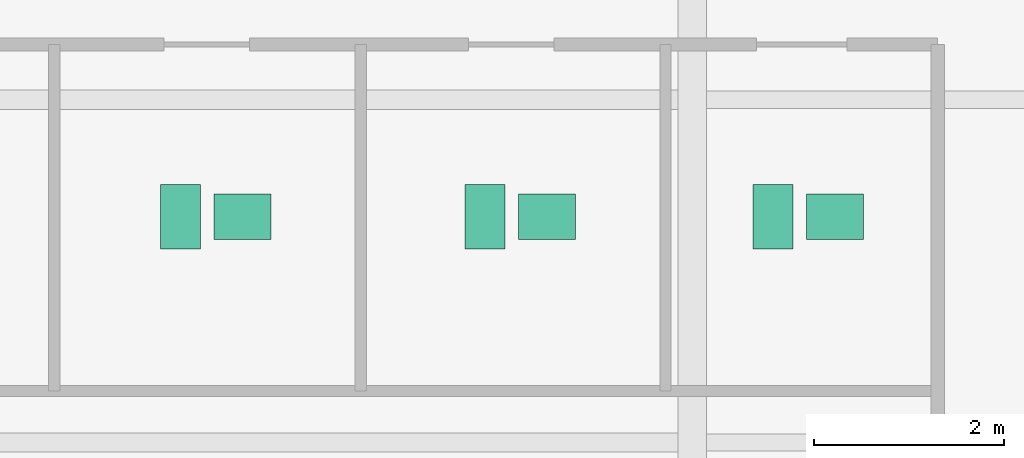
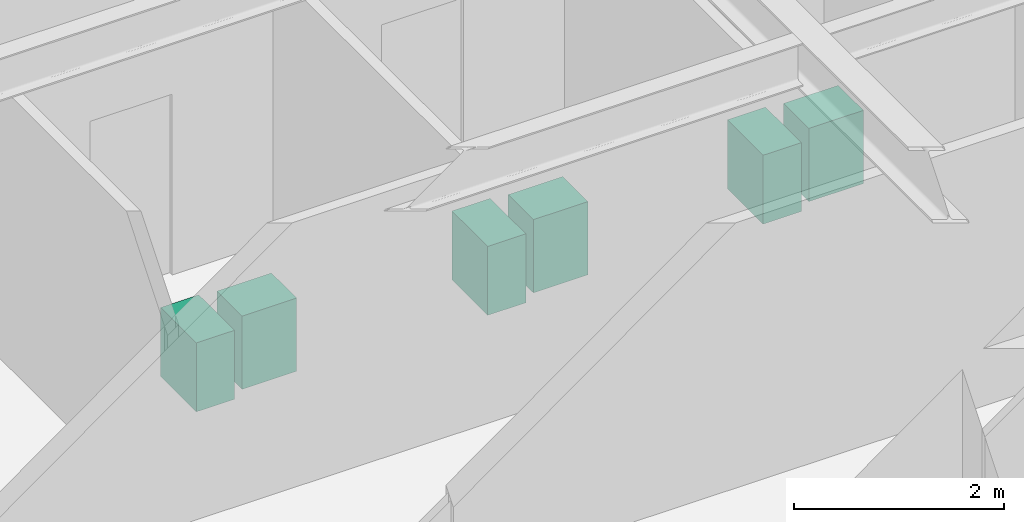
# One storey, part 26 of 26: 6 sanitary terminals.
"""IFC4 building model written with IfcOpenShell, lengths in metres."""

from ifc_helpers import new_model, si_unit, direction, frame, origin, origin_2d, place, context, subcontext, project, spatial, rectangle, extrude, source, transform, mapped, material, type_object, type_shapes, element, save


model = new_model("IFC4")

# Units and contexts
model_context = context("Model", 3, precision=1e-05, world=origin(), true_north=direction((0.0, 1.0)))
body_context = subcontext(model_context, "Body", "Model", "MODEL_VIEW")
ifc_project = project(units=[si_unit("LENGTHUNIT", "METRE"), si_unit("AREAUNIT", "SQUARE_METRE"), si_unit("VOLUMEUNIT", "CUBIC_METRE"), si_unit("PLANEANGLEUNIT", "RADIAN"), si_unit("MASSUNIT", "GRAM", prefix="KILO")], contexts=[model_context])

# Site, building, storey
site_placement = place(None, origin())
site = spatial("IfcSite", under=ifc_project, at=site_placement, CompositionType="ELEMENT")
building_placement = place(site_placement, origin())
building = spatial("IfcBuilding", under=site, at=building_placement, Name="Krantzveldt Concourse Tower", CompositionType="ELEMENT")
storey_placement = place(building_placement, frame((0.0, 0.0, 113.75)))
storey = spatial("IfcBuildingStorey", under=building, at=storey_placement, Name="L27", CompositionType="ELEMENT", Elevation=113.75)

# Sanitary terminals
ifc_material = material(Name="Vitreous china", Category="ceramic")
sanitary_terminal_type_1 = type_object("IfcSanitaryTerminalType", Name="SAN-WC-SUITE", PredefinedType="TOILETPAN", material=ifc_material)
shared_shape_1 = source(origin(), body_context, "Body", "SweptSolid", [
    extrude(rectangle(XDim=0.419921875, YDim=0.679931640625, at=origin_2d()), origin(), (0.0, 0.0, 1.0), 0.800048828125),
])
type_shapes(sanitary_terminal_type_1, [shared_shape_1])
for number, where, z_axis, x_axis, name in (
    (1, (36.02490234375, 32.570068359375, 0.0), (0.0, 0.0, 1.0), (1.0, 0.0, 0.0), "WC-SP-L27-WCM"),
    (2, (39.22509765625, 32.570068359375, 0.0), (0.0, 0.0, 1.0), (1.0, 0.0, 0.0), "WC-SP-L27-WCF"),
    (3, (42.25, 32.570068359375, 0.0), (0.0, 0.0, 1.0), (1.0, 0.0, 0.0), "WC-SP-L27-WCA"),
):
    element("IfcSanitaryTerminal", number, at=place(storey_placement, frame(where, z_axis=z_axis, x_axis=x_axis)), inside=storey, type_object=sanitary_terminal_type_1, Name=name, PredefinedType="TOILETPAN", context=body_context, shape_type="MappedRepresentation", body=[
        mapped(shared_shape_1, transform((0.0, 0.0, 0.0), x_axis=(1.0, 0.0, 0.0), y_axis=(0.0, 1.0, 0.0), z_axis=(0.0, 0.0, 1.0), scale=1.0)),
    ])
sanitary_terminal_type_2 = type_object("IfcSanitaryTerminalType", Name="SAN-BASIN-600", PredefinedType="WASHHANDBASIN", material=ifc_material)
shared_shape_2 = source(origin(), body_context, "Body", "SweptSolid", [
    extrude(rectangle(XDim=0.60009765625, YDim=0.47998046875, at=origin_2d()), origin(), (0.0, 0.0, 1.0), 0.85009765625),
])
type_shapes(sanitary_terminal_type_2, [shared_shape_2])
for number, where, z_axis, x_axis, name in (
    (4, (36.675048828125, 32.570068359375, 0.0048828125), (0.0, 0.0, 1.0), (1.0, 0.0, 0.0), "BSN-SP-L27-WCM"),
    (5, (39.875, 32.570068359375, 0.0048828125), (0.0, 0.0, 1.0), (1.0, 0.0, 0.0), "BSN-SP-L27-WCF"),
    (6, (42.89990234375, 32.570068359375, 0.0048828125), (0.0, 0.0, 1.0), (1.0, 0.0, 0.0), "BSN-SP-L27-WCA"),
):
    element("IfcSanitaryTerminal", number, at=place(storey_placement, frame(where, z_axis=z_axis, x_axis=x_axis)), inside=storey, type_object=sanitary_terminal_type_2, Name=name, PredefinedType="WASHHANDBASIN", context=body_context, shape_type="MappedRepresentation", body=[
        mapped(shared_shape_2, transform((0.0, 0.0, 0.0), x_axis=(1.0, 0.0, 0.0), y_axis=(0.0, 1.0, 0.0), z_axis=(0.0, 0.0, 1.0), scale=1.0)),
    ])

save(model, "model.ifc")
